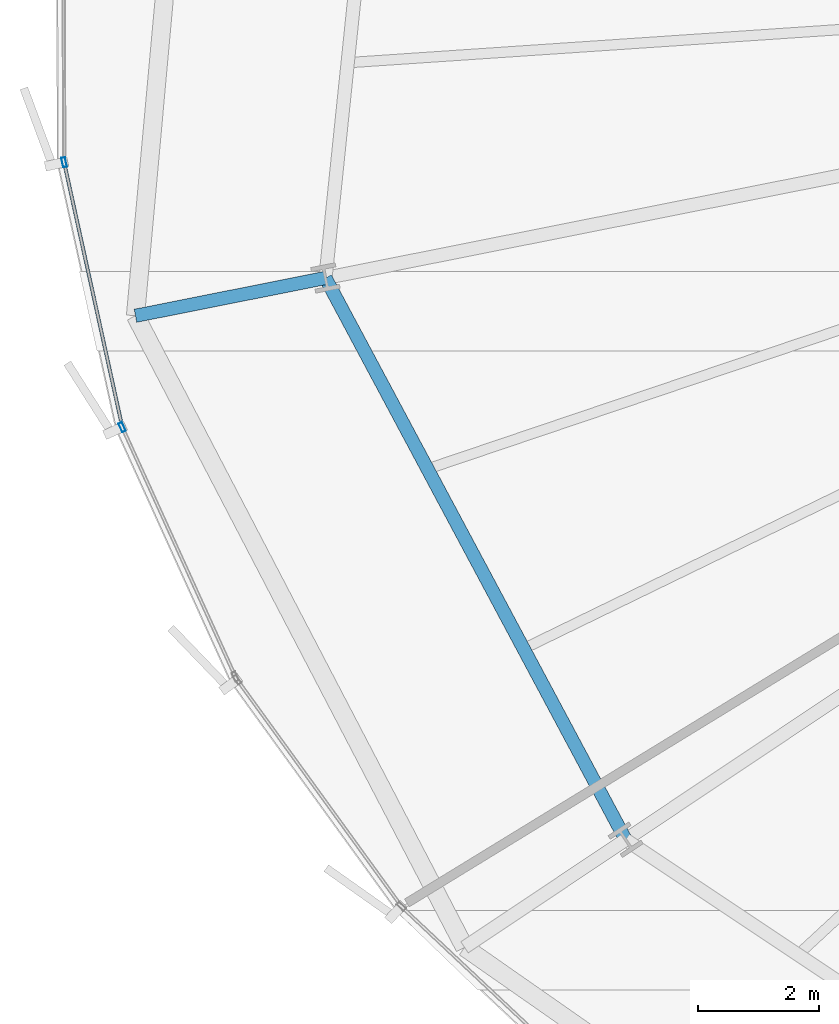
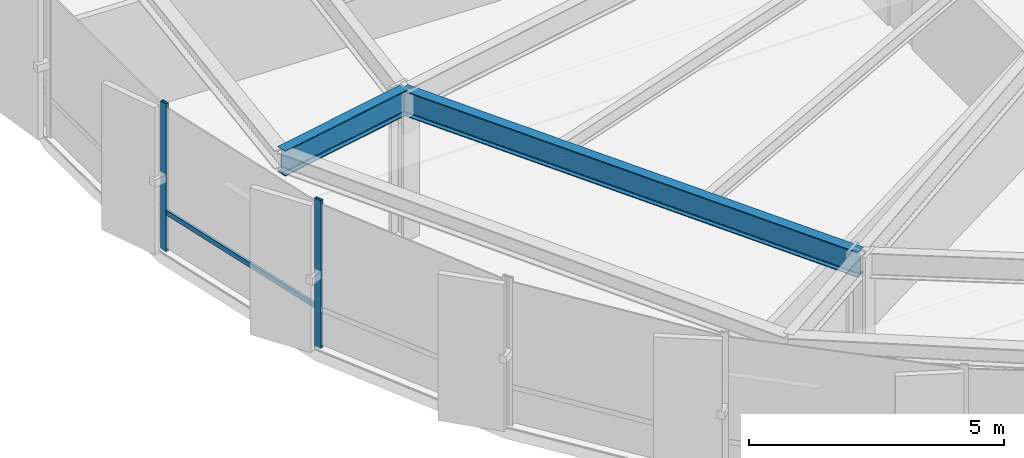
# One storey, part 7 of 37: 3 members, 2 beams, 1 element without a shape of its own.
"""IFC4 building model written with IfcOpenShell, lengths in metres."""

from ifc_helpers import new_model, si_unit, direction, frame, origin, origin_2d, place, context, subcontext, project, spatial, hollow_rectangle, i_section, extrude, source, transform, mapped, material, layer, layer_set, material_profile, profile_set, type_object, element, aggregate, save


model = new_model("IFC4")

# Units and contexts
model_context = context("Model", 3, precision=1e-05, world=origin(), true_north=direction((0.0, 1.0)))
body_context = subcontext(model_context, "Body", "Model", "MODEL_VIEW")
ifc_project = project(units=[si_unit("LENGTHUNIT", "METRE"), si_unit("AREAUNIT", "SQUARE_METRE"), si_unit("VOLUMEUNIT", "CUBIC_METRE"), si_unit("PLANEANGLEUNIT", "RADIAN"), si_unit("MASSUNIT", "GRAM", prefix="KILO"), si_unit("THERMODYNAMICTEMPERATUREUNIT", "KELVIN")], contexts=[model_context])

# Site, building, storey
site_placement = place(None, origin())
site = spatial("IfcSite", under=ifc_project, at=site_placement, CompositionType="ELEMENT")
building_placement = place(site_placement, origin())
building = spatial("IfcBuilding", under=site, at=building_placement, Name="Kethvar Cultural Tower", CompositionType="ELEMENT")
storey_placement = place(building_placement, frame((0.0, 0.0, 56.199951171875)))
storey = spatial("IfcBuildingStorey", under=building, at=storey_placement, Name="L13", CompositionType="ELEMENT", Elevation=56.199951171875)

# Beams
ifc_material_1 = material(Name="Steel S355J2", Category="steel")
ifc_material_profile_1 = material_profile(ifc_material_1, i_section(OverallWidth=0.219970703125, OverallDepth=0.60009765625, WebThickness=0.011962890625, FlangeThickness=0.01904296875, FilletRadius=0.02392578125, at=origin_2d()), Name="Steel S355J2 — IPE600")
ifc_profile_set_1 = profile_set([ifc_material_profile_1], Name="Steel S355J2 — IPE600")
beam_type = type_object("IfcBeamType", Name="BM-IPE600", PredefinedType="BEAM", material=ifc_profile_set_1)
shared_shape_1 = source(origin(), body_context, "Body", "SweptSolid", [
    extrude(i_section(OverallWidth=0.219970703125, OverallDepth=0.60009765625, WebThickness=0.011962890625, FlangeThickness=0.01904296875, FilletRadius=0.02392578125, at=origin_2d()), origin(), (0.0, 0.0, 1.0), 3.199951171875),
])
beam_1_placement = place(storey_placement, frame((19.9658203125, 22.46240234375, 3.248046875), z_axis=(-0.980785550224, -0.195088965533, 0.0), x_axis=(0.195088965533, -0.980785550224, 0.0)))
element("IfcBeam", 1, at=beam_1_placement, inside=storey, type_object=beam_type, Name="L13 Perimeter Cantilever Beam RC-09", PredefinedType="BEAM", context=body_context, shape_type="MappedRepresentation", body=[
    mapped(shared_shape_1, transform((0.0, 0.0, 0.0), scale=1.0)),
])
shared_shape_2 = source(origin(), body_context, "Body", "SweptSolid", [
    extrude(i_section(OverallWidth=0.219970703125, OverallDepth=0.60009765625, WebThickness=0.011962890625, FlangeThickness=0.01904296875, FilletRadius=0.02392578125, at=origin_2d()), origin(), (0.0, 0.0, 1.0), 10.52099609375),
])
beam_2_placement = place(storey_placement, frame((19.9658203125, 22.46240234375, 3.248046875), z_axis=(0.471339616984, -0.881951793162, 0.0), x_axis=(0.881951793162, 0.471339616984, 0.0)))
element("IfcBeam", 2, at=beam_2_placement, inside=storey, type_object=beam_type, Name="L13 Column Ring Tie Beam CR-09", PredefinedType="BEAM", context=body_context, shape_type="MappedRepresentation", body=[
    mapped(shared_shape_2, transform((0.0, 0.0, 0.0), scale=1.0)),
])

# Curtain wall, members
ifc_material_2 = material(Name="Aluminium 6063-T6", Category="aluminium")
ifc_layer = layer(ifc_material_2, 0.179931640625, Name="Aluminium 6063-T6", Category="aluminium")
ifc_layer_set = layer_set([ifc_layer], Name="Aluminium 6063-T6 (180 mm)")
curtain_wall_type = type_object("IfcCurtainWallType", Name="CW-SYS-02-Z1", PredefinedType="NOTDEFINED", material=ifc_layer_set)
curtain_wall_placement = place(storey_placement, origin())
curtain_wall = element("IfcCurtainWall", 3, at=curtain_wall_placement, inside=storey, type_object=curtain_wall_type, Name="L13 Curtain Wall Run 04", PredefinedType="NOTDEFINED")
ifc_material_profile_2 = material_profile(ifc_material_2, hollow_rectangle(XDim=0.06494140625, YDim=0.159912109375, WallThickness=0.0048828125, at=origin_2d()), Name="Aluminium 6063-T6 — RHS160x65x5")
ifc_profile_set_2 = profile_set([ifc_material_profile_2], Name="Aluminium 6063-T6 — RHS160x65x5")
member_type_1 = type_object("IfcMemberType", Name="CW-SYS-02-Z1-MUL", PredefinedType="MULLION", material=ifc_profile_set_2)
shared_shape_3 = source(origin(), body_context, "Body", "SweptSolid", [
    extrude(hollow_rectangle(XDim=0.06494140625, YDim=0.159912109375, WallThickness=0.0048828125, at=origin_2d()), origin(), (0.0, 0.0, 1.0), 3.550048828125),
])
member_1_placement = place(storey_placement, frame((15.64892578125, 24.373779296875, 0.0), z_axis=(0.0, 0.0, 1.0), x_axis=(0.976702251522, 0.214598955899, 0.0)))
member_1 = element("IfcMember", 4, at=member_1_placement, type_object=member_type_1, Name="CW-L13-R04 Mullion 5", PredefinedType="MULLION", context=body_context, shape_type="MappedRepresentation", body=[
    mapped(shared_shape_3, transform((0.0, 0.0, 0.0), scale=1.0)),
])
member_2_placement = place(storey_placement, frame((16.607666015625, 19.998779296875, 0.0), z_axis=(0.0, 0.0, 1.0), x_axis=(0.910683660806, 0.413104429825, 0.0)))
member_2 = element("IfcMember", 5, at=member_2_placement, type_object=member_type_1, Name="CW-L13-R04 Mullion 6", PredefinedType="MULLION", context=body_context, shape_type="MappedRepresentation", body=[
    mapped(shared_shape_3, transform((0.0, 0.0, 0.0), scale=1.0)),
])
ifc_material_profile_3 = material_profile(ifc_material_2, hollow_rectangle(XDim=0.054931640625, YDim=0.1201171875, WallThickness=0.00390625, at=origin_2d()), Name="Aluminium 6063-T6 — RHS120x55x4")
ifc_profile_set_3 = profile_set([ifc_material_profile_3], Name="Aluminium 6063-T6 — RHS120x55x4")
member_type_2 = type_object("IfcMemberType", Name="CW-SYS-02-Z1-TRN", PredefinedType="USERDEFINED", material=ifc_profile_set_3)
shared_shape_4 = source(origin(), body_context, "Body", "SweptSolid", [
    extrude(hollow_rectangle(XDim=0.054931640625, YDim=0.1201171875, WallThickness=0.00390625, at=origin_2d()), origin(), (0.0, 0.0, 1.0), 4.409912109375),
])
member_3_placement = place(storey_placement, frame((15.658935546875, 24.327880859375, 0.949951171875), z_axis=(0.214637879442, -0.97669369851, 0.0), x_axis=(0.97669369851, 0.214637879442, 0.0)))
member_3 = element("IfcMember", 6, at=member_3_placement, type_object=member_type_2, Name="CW-L13-R04 Transom 5", ObjectType="TRANSOM", PredefinedType="USERDEFINED", context=body_context, shape_type="MappedRepresentation", body=[
    mapped(shared_shape_4, transform((0.0, 0.0, 0.0), scale=1.0)),
])
aggregate(curtain_wall, [member_1, member_2, member_3])

save(model, "model.ifc")
